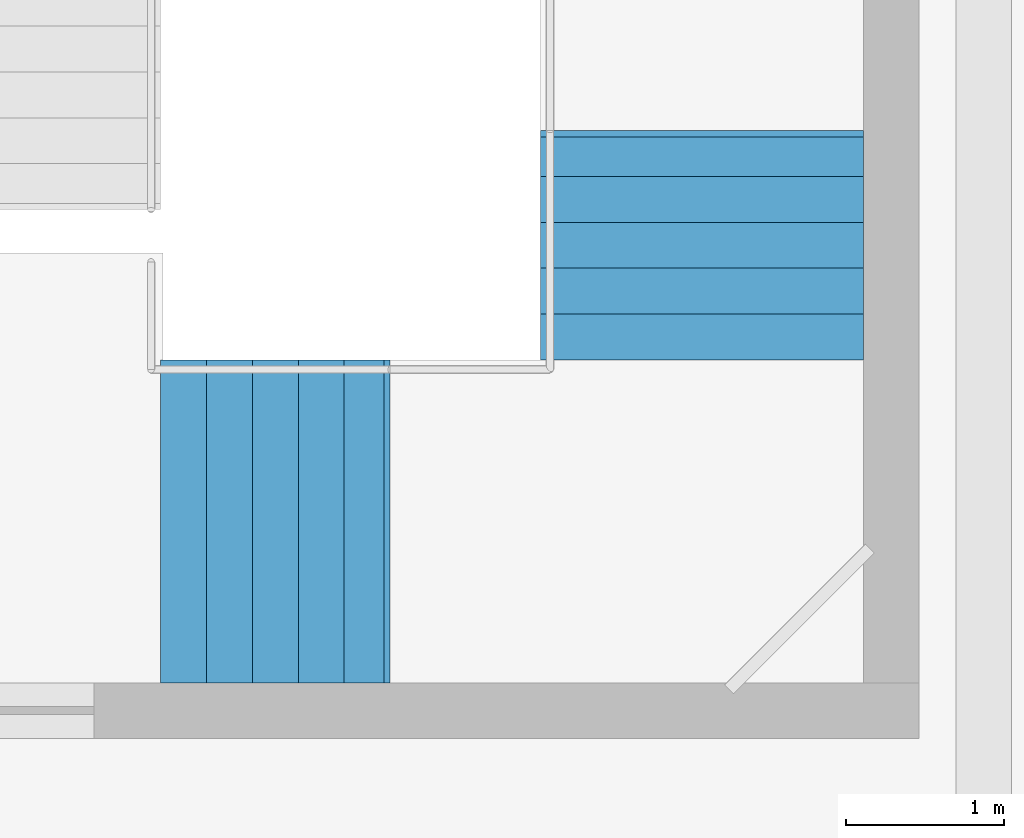
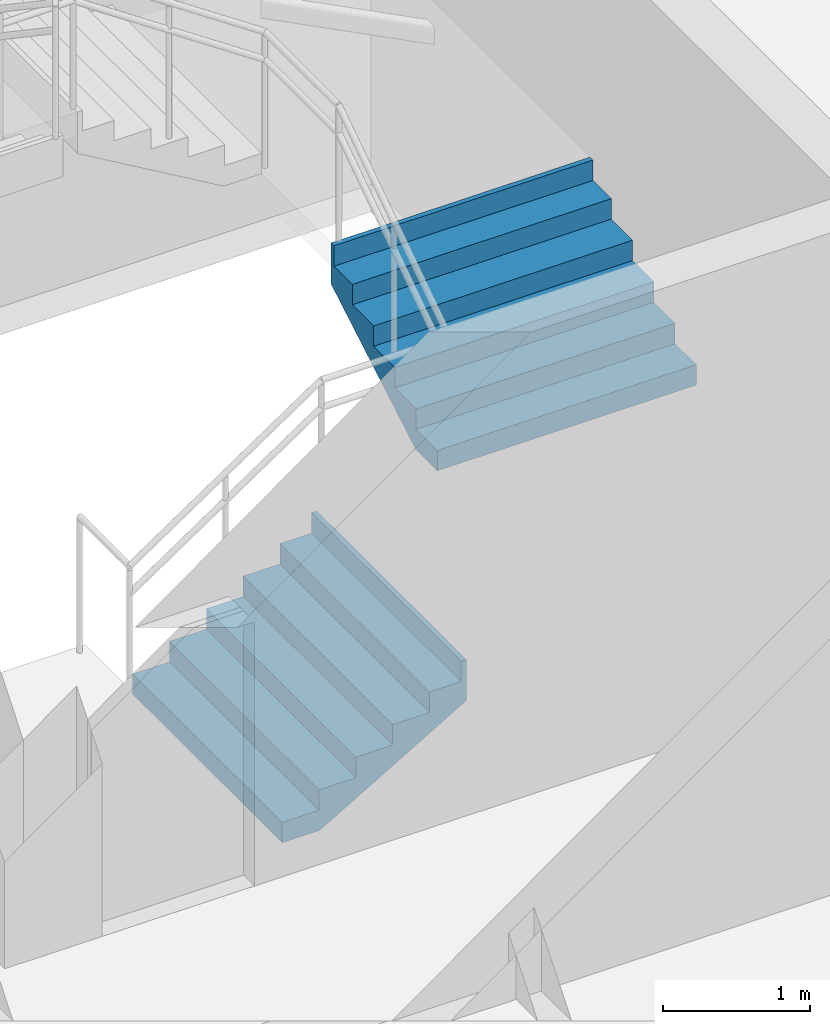
# One storey, part 61 of 66: 2 stair flights, 1 element without a shape of its own.
"""IFC4 building model written with IfcOpenShell, lengths in metres."""

from ifc_helpers import new_model, si_unit, direction, frame, origin, place, context, subcontext, project, spatial, triangles, material, type_object, element, aggregate, save


model = new_model("IFC4")

# Units and contexts
model_context = context("Model", 3, precision=1e-05, world=origin(), true_north=direction((0.0, 1.0)))
body_context = subcontext(model_context, "Body", "Model", "MODEL_VIEW")
ifc_project = project(units=[si_unit("LENGTHUNIT", "METRE"), si_unit("AREAUNIT", "SQUARE_METRE"), si_unit("VOLUMEUNIT", "CUBIC_METRE"), si_unit("PLANEANGLEUNIT", "RADIAN"), si_unit("MASSUNIT", "GRAM", prefix="KILO")], contexts=[model_context])

# Site, building, storey
site_placement = place(None, origin())
site = spatial("IfcSite", under=ifc_project, at=site_placement, CompositionType="ELEMENT")
building_placement = place(site_placement, origin())
building = spatial("IfcBuilding", under=site, at=building_placement, Name="Sillaruma Civic Art Gallery", CompositionType="ELEMENT")
storey_placement = place(building_placement, frame((0.0, 0.0, 62.219970703125)))
storey = spatial("IfcBuildingStorey", under=building, at=storey_placement, Name="L12", CompositionType="ELEMENT", Elevation=62.219970703125)

# Stair, stair flights
ifc_material = material(Name="Concrete H35 (35 MPa)", Category="concrete")
stair_type = type_object("IfcStairType", Name="STR-4F-24", PredefinedType="USERDEFINED", material=ifc_material)
stair_placement = place(storey_placement, origin())
stair = element("IfcStair", 1, at=stair_placement, inside=storey, type_object=stair_type, Name="Protected Exit Stair ST-02 (West Bar North) (L12)", ObjectType="THREE_RETURN_STAIR", PredefinedType="USERDEFINED")
stair_flight_type = type_object("IfcStairFlightType", Name="SFL-STR-6", PredefinedType="STRAIGHT", material=ifc_material)
stair_flight_1_placement = place(storey_placement, frame((64.800048828125, 81.929931640625, 0.0), z_axis=(0.0, 0.0, 1.0), x_axis=(1.0, 0.0, 0.0)))
stair_flight_1 = element("IfcStairFlight", 2, at=stair_flight_1_placement, type_object=stair_flight_type, Name="ST-02 flight 1", NumberOfRisers=6, NumberOfTreads=5, PredefinedType="STRAIGHT", RiserHeight=0.17, TreadLength=0.29, context=body_context, shape_type="Tessellation", body=[
    triangles([(0.0, -1.02001953125, 0.0), (0.29, -1.02001953125, 0.0), (0.296365, -1.02001953125, 0.0), (0.58, -1.02001953125, 0.166269), (0.87, -1.02001953125, 0.336269), (1.16, -1.02001953125, 0.506269), (1.409951, -1.02001953125, 0.652792), (1.449951, -1.02001953125, 0.67624), (1.449951, -1.02001953125, 1.02), (1.409951, -1.02001953125, 1.02), (1.409951, -1.02001953125, 0.85), (1.16, -1.02001953125, 0.85), (1.16, -1.02001953125, 0.68), (0.87, -1.02001953125, 0.68), (0.87, -1.02001953125, 0.51), (0.58, -1.02001953125, 0.51), (0.58, -1.02001953125, 0.34), (0.296365, -1.02001953125, 0.34), (0.29, -1.02001953125, 0.34), (0.29, -1.02001953125, 0.17), (0.0, -1.02001953125, 0.17), (0.0, -0.05, 0.0), (0.29, -0.05, 0.0), (0.296365, -0.05, 0.0), (0.58, -0.05, 0.166269), (0.87, -0.05, 0.336269), (1.16, -0.05, 0.506269), (1.409951, -0.05, 0.652792), (1.449951, -0.05, 0.67624), (1.449951, -0.05, 1.02), (1.409951, -0.05, 1.02), (1.409951, -0.05, 0.85), (1.16, -0.05, 0.85), (1.16, -0.05, 0.68), (0.87, -0.05, 0.68), (0.87, -0.05, 0.51), (0.58, -0.05, 0.51), (0.58, -0.05, 0.34), (0.296365, -0.05, 0.34), (0.29, -0.05, 0.34), (0.29, -0.05, 0.17), (0.0, -0.05, 0.17), (0.0, -0.0375, 0.0), (0.29, -0.0375, 0.0), (0.296365, -0.0375, 0.0), (0.58, -0.0375, 0.166269), (0.87, -0.0375, 0.336269), (1.16, -0.0375, 0.506269), (1.409951, -0.0375, 0.652792), (1.449951, -0.0375, 0.67624), (1.449951, -0.0375, 1.02), (1.409951, -0.0375, 1.02), (1.409951, -0.0375, 0.85), (1.16, -0.0375, 0.85), (1.16, -0.0375, 0.68), (0.87, -0.0375, 0.68), (0.87, -0.0375, 0.51), (0.58, -0.0375, 0.51), (0.58, -0.0375, 0.34), (0.296365, -0.0375, 0.34), (0.29, -0.0375, 0.34), (0.29, -0.0375, 0.17), (0.0, -0.0375, 0.17), (0.0, -0.025, 0.0), (0.29, -0.025, 0.0), (0.296365, -0.025, 0.0), (0.58, -0.025, 0.166269), (0.87, -0.025, 0.336269), (1.16, -0.025, 0.506269), (1.409951, -0.025, 0.652792), (1.449951, -0.025, 0.67624), (1.449951, -0.025, 1.02), (1.409951, -0.025, 1.02), (1.409951, -0.025, 0.85), (1.16, -0.025, 0.85), (1.16, -0.025, 0.68), (0.87, -0.025, 0.68), (0.87, -0.025, 0.51), (0.58, -0.025, 0.51), (0.58, -0.025, 0.34), (0.296365, -0.025, 0.34), (0.29, -0.025, 0.34), (0.29, -0.025, 0.17), (0.0, -0.025, 0.17), (0.0, -0.0125, 0.0), (0.29, -0.0125, 0.0), (0.296365, -0.0125, 0.0), (0.58, -0.0125, 0.166269), (0.87, -0.0125, 0.336269), (1.16, -0.0125, 0.506269), (1.409951, -0.0125, 0.652792), (1.449951, -0.0125, 0.67624), (1.449951, -0.0125, 1.02), (1.409951, -0.0125, 1.02), (1.409951, -0.0125, 0.85), (1.16, -0.0125, 0.85), (1.16, -0.0125, 0.68), (0.87, -0.0125, 0.68), (0.87, -0.0125, 0.51), (0.58, -0.0125, 0.51), (0.58, -0.0125, 0.34), (0.296365, -0.0125, 0.34), (0.29, -0.0125, 0.34), (0.29, -0.0125, 0.17), (0.0, -0.0125, 0.17), (0.0, 0.0, 0.0), (0.29, 0.0, 0.0), (0.296365, 0.0, 0.0), (0.58, 0.0, 0.166269), (0.87, 0.0, 0.336269), (1.16, 0.0, 0.506269), (1.409951, 0.0, 0.652792), (1.449951, 0.0, 0.67624), (1.449951, 0.0, 1.02), (1.409951, 0.0, 1.02), (1.409951, 0.0, 0.85), (1.16, 0.0, 0.85), (1.16, 0.0, 0.68), (0.87, 0.0, 0.68), (0.87, 0.0, 0.51), (0.58, 0.0, 0.51), (0.58, 0.0, 0.34), (0.296365, 0.0, 0.34), (0.29, 0.0, 0.34), (0.29, 0.0, 0.17), (0.0, 0.0, 0.17), (0.0, 0.0125, 0.0), (0.29, 0.0125, 0.0), (0.296365, 0.0125, 0.0), (0.58, 0.0125, 0.166269), (0.87, 0.0125, 0.336269), (1.16, 0.0125, 0.506269), (1.409951, 0.0125, 0.652792), (1.449951, 0.0125, 0.67624), (1.449951, 0.0125, 1.02), (1.409951, 0.0125, 1.02), (1.409951, 0.0125, 0.85), (1.16, 0.0125, 0.85), (1.16, 0.0125, 0.68), (0.87, 0.0125, 0.68), (0.87, 0.0125, 0.51), (0.58, 0.0125, 0.51), (0.58, 0.0125, 0.34), (0.296365, 0.0125, 0.34), (0.29, 0.0125, 0.34), (0.29, 0.0125, 0.17), (0.0, 0.0125, 0.17), (0.0, 0.025, 0.0), (0.29, 0.025, 0.0), (0.296365, 0.025, 0.0), (0.58, 0.025, 0.166269), (0.87, 0.025, 0.336269), (1.16, 0.025, 0.506269), (1.409951, 0.025, 0.652792), (1.449951, 0.025, 0.67624), (1.449951, 0.025, 1.02), (1.409951, 0.025, 1.02), (1.409951, 0.025, 0.85), (1.16, 0.025, 0.85), (1.16, 0.025, 0.68), (0.87, 0.025, 0.68), (0.87, 0.025, 0.51), (0.58, 0.025, 0.51), (0.58, 0.025, 0.34), (0.296365, 0.025, 0.34), (0.29, 0.025, 0.34), (0.29, 0.025, 0.17), (0.0, 0.025, 0.17), (0.0, 0.0375, 0.0), (0.29, 0.0375, 0.0), (0.296365, 0.0375, 0.0), (0.58, 0.0375, 0.166269), (0.87, 0.0375, 0.336269), (1.16, 0.0375, 0.506269), (1.409951, 0.0375, 0.652792), (1.449951, 0.0375, 0.67624), (1.449951, 0.0375, 1.02), (1.409951, 0.0375, 1.02), (1.409951, 0.0375, 0.85), (1.16, 0.0375, 0.85), (1.16, 0.0375, 0.68), (0.87, 0.0375, 0.68), (0.87, 0.0375, 0.51), (0.58, 0.0375, 0.51), (0.58, 0.0375, 0.34), (0.296365, 0.0375, 0.34), (0.29, 0.0375, 0.34), (0.29, 0.0375, 0.17), (0.0, 0.0375, 0.17), (0.0, 0.05, 0.0), (0.29, 0.05, 0.0), (0.296365, 0.05, 0.0), (0.58, 0.05, 0.166269), (0.87, 0.05, 0.336269), (1.16, 0.05, 0.506269), (1.409951, 0.05, 0.652792), (1.449951, 0.05, 0.67624), (1.449951, 0.05, 1.02), (1.409951, 0.05, 1.02), (1.409951, 0.05, 0.85), (1.16, 0.05, 0.85), (1.16, 0.05, 0.68), (0.87, 0.05, 0.68), (0.87, 0.05, 0.51), (0.58, 0.05, 0.51), (0.58, 0.05, 0.34), (0.296365, 0.05, 0.34), (0.29, 0.05, 0.34), (0.29, 0.05, 0.17), (0.0, 0.05, 0.17), (0.0, 1.02001953125, 0.0), (0.29, 1.02001953125, 0.0), (0.296365, 1.02001953125, 0.0), (0.58, 1.02001953125, 0.166269), (0.87, 1.02001953125, 0.336269), (1.16, 1.02001953125, 0.506269), (1.409951, 1.02001953125, 0.652792), (1.449951, 1.02001953125, 0.67624), (1.449951, 1.02001953125, 1.02), (1.409951, 1.02001953125, 1.02), (1.409951, 1.02001953125, 0.85), (1.16, 1.02001953125, 0.85), (1.16, 1.02001953125, 0.68), (0.87, 1.02001953125, 0.68), (0.87, 1.02001953125, 0.51), (0.58, 1.02001953125, 0.51), (0.58, 1.02001953125, 0.34), (0.296365, 1.02001953125, 0.34), (0.29, 1.02001953125, 0.34), (0.29, 1.02001953125, 0.17), (0.0, 1.02001953125, 0.17)], [[1, 2, 20], [1, 20, 21], [2, 3, 18], [2, 18, 20], [20, 18, 19], [3, 4, 17], [3, 17, 18], [4, 5, 15], [4, 15, 17], [17, 15, 16], [5, 6, 13], [5, 13, 15], [15, 13, 14], [6, 7, 11], [6, 11, 13], [13, 11, 12], [7, 8, 9], [7, 9, 11], [11, 9, 10], [230, 212, 211], [231, 230, 211], [228, 213, 212], [230, 228, 212], [229, 228, 230], [227, 214, 213], [228, 227, 213], [225, 215, 214], [227, 225, 214], [226, 225, 227], [223, 216, 215], [225, 223, 215], [224, 223, 225], [221, 217, 216], [223, 221, 216], [222, 221, 223], [219, 218, 217], [221, 219, 217], [220, 219, 221], [2, 1, 22], [2, 22, 23], [3, 2, 23], [3, 23, 24], [4, 3, 24], [4, 24, 25], [5, 4, 25], [5, 25, 26], [6, 5, 26], [6, 26, 27], [7, 6, 27], [7, 27, 28], [8, 7, 28], [8, 28, 29], [9, 8, 29], [9, 29, 30], [10, 9, 30], [10, 30, 31], [11, 10, 31], [11, 31, 32], [12, 11, 32], [12, 32, 33], [13, 12, 33], [13, 33, 34], [14, 13, 34], [14, 34, 35], [15, 14, 35], [15, 35, 36], [16, 15, 36], [16, 36, 37], [17, 16, 37], [17, 37, 38], [18, 17, 38], [18, 38, 39], [19, 18, 39], [19, 39, 40], [20, 19, 40], [20, 40, 41], [21, 20, 41], [21, 41, 42], [1, 21, 42], [1, 42, 22], [23, 22, 43], [23, 43, 44], [24, 23, 44], [24, 44, 45], [25, 24, 45], [25, 45, 46], [26, 25, 46], [26, 46, 47], [27, 26, 47], [27, 47, 48], [28, 27, 48], [28, 48, 49], [29, 28, 49], [29, 49, 50], [30, 29, 50], [30, 50, 51], [31, 30, 51], [31, 51, 52], [32, 31, 52], [32, 52, 53], [33, 32, 53], [33, 53, 54], [34, 33, 54], [34, 54, 55], [35, 34, 55], [35, 55, 56], [36, 35, 56], [36, 56, 57], [37, 36, 57], [37, 57, 58], [38, 37, 58], [38, 58, 59], [39, 38, 59], [39, 59, 60], [40, 39, 60], [40, 60, 61], [41, 40, 61], [41, 61, 62], [42, 41, 62], [42, 62, 63], [22, 42, 63], [22, 63, 43], [44, 43, 64], [44, 64, 65], [45, 44, 65], [45, 65, 66], [46, 45, 66], [46, 66, 67], [47, 46, 67], [47, 67, 68], [48, 47, 68], [48, 68, 69], [49, 48, 69], [49, 69, 70], [50, 49, 70], [50, 70, 71], [51, 50, 71], [51, 71, 72], [52, 51, 72], [52, 72, 73], [53, 52, 73], [53, 73, 74], [54, 53, 74], [54, 74, 75], [55, 54, 75], [55, 75, 76], [56, 55, 76], [56, 76, 77], [57, 56, 77], [57, 77, 78], [58, 57, 78], [58, 78, 79], [59, 58, 79], [59, 79, 80], [60, 59, 80], [60, 80, 81], [61, 60, 81], [61, 81, 82], [62, 61, 82], [62, 82, 83], [63, 62, 83], [63, 83, 84], [43, 63, 84], [43, 84, 64], [65, 64, 85], [65, 85, 86], [66, 65, 86], [66, 86, 87], [67, 66, 87], [67, 87, 88], [68, 67, 88], [68, 88, 89], [69, 68, 89], [69, 89, 90], [70, 69, 90], [70, 90, 91], [71, 70, 91], [71, 91, 92], [72, 71, 92], [72, 92, 93], [73, 72, 93], [73, 93, 94], [74, 73, 94], [74, 94, 95], [75, 74, 95], [75, 95, 96], [76, 75, 96], [76, 96, 97], [77, 76, 97], [77, 97, 98], [78, 77, 98], [78, 98, 99], [79, 78, 99], [79, 99, 100], [80, 79, 100], [80, 100, 101], [81, 80, 101], [81, 101, 102], [82, 81, 102], [82, 102, 103], [83, 82, 103], [83, 103, 104], [84, 83, 104], [84, 104, 105], [64, 84, 105], [64, 105, 85], [86, 85, 106], [86, 106, 107], [87, 86, 107], [87, 107, 108], [88, 87, 108], [88, 108, 109], [89, 88, 109], [89, 109, 110], [90, 89, 110], [90, 110, 111], [91, 90, 111], [91, 111, 112], [92, 91, 112], [92, 112, 113], [93, 92, 113], [93, 113, 114], [94, 93, 114], [94, 114, 115], [95, 94, 115], [95, 115, 116], [96, 95, 116], [96, 116, 117], [97, 96, 117], [97, 117, 118], [98, 97, 118], [98, 118, 119], [99, 98, 119], [99, 119, 120], [100, 99, 120], [100, 120, 121], [101, 100, 121], [101, 121, 122], [102, 101, 122], [102, 122, 123], [103, 102, 123], [103, 123, 124], [104, 103, 124], [104, 124, 125], [105, 104, 125], [105, 125, 126], [85, 105, 126], [85, 126, 106], [107, 106, 127], [107, 127, 128], [108, 107, 128], [108, 128, 129], [109, 108, 129], [109, 129, 130], [110, 109, 130], [110, 130, 131], [111, 110, 131], [111, 131, 132], [112, 111, 132], [112, 132, 133], [113, 112, 133], [113, 133, 134], [114, 113, 134], [114, 134, 135], [115, 114, 135], [115, 135, 136], [116, 115, 136], [116, 136, 137], [117, 116, 137], [117, 137, 138], [118, 117, 138], [118, 138, 139], [119, 118, 139], [119, 139, 140], [120, 119, 140], [120, 140, 141], [121, 120, 141], [121, 141, 142], [122, 121, 142], [122, 142, 143], [123, 122, 143], [123, 143, 144], [124, 123, 144], [124, 144, 145], [125, 124, 145], [125, 145, 146], [126, 125, 146], [126, 146, 147], [106, 126, 147], [106, 147, 127], [128, 127, 148], [128, 148, 149], [129, 128, 149], [129, 149, 150], [130, 129, 150], [130, 150, 151], [131, 130, 151], [131, 151, 152], [132, 131, 152], [132, 152, 153], [133, 132, 153], [133, 153, 154], [134, 133, 154], [134, 154, 155], [135, 134, 155], [135, 155, 156], [136, 135, 156], [136, 156, 157], [137, 136, 157], [137, 157, 158], [138, 137, 158], [138, 158, 159], [139, 138, 159], [139, 159, 160], [140, 139, 160], [140, 160, 161], [141, 140, 161], [141, 161, 162], [142, 141, 162], [142, 162, 163], [143, 142, 163], [143, 163, 164], [144, 143, 164], [144, 164, 165], [145, 144, 165], [145, 165, 166], [146, 145, 166], [146, 166, 167], [147, 146, 167], [147, 167, 168], [127, 147, 168], [127, 168, 148], [149, 148, 169], [149, 169, 170], [150, 149, 170], [150, 170, 171], [151, 150, 171], [151, 171, 172], [152, 151, 172], [152, 172, 173], [153, 152, 173], [153, 173, 174], [154, 153, 174], [154, 174, 175], [155, 154, 175], [155, 175, 176], [156, 155, 176], [156, 176, 177], [157, 156, 177], [157, 177, 178], [158, 157, 178], [158, 178, 179], [159, 158, 179], [159, 179, 180], [160, 159, 180], [160, 180, 181], [161, 160, 181], [161, 181, 182], [162, 161, 182], [162, 182, 183], [163, 162, 183], [163, 183, 184], [164, 163, 184], [164, 184, 185], [165, 164, 185], [165, 185, 186], [166, 165, 186], [166, 186, 187], [167, 166, 187], [167, 187, 188], [168, 167, 188], [168, 188, 189], [148, 168, 189], [148, 189, 169], [170, 169, 190], [170, 190, 191], [171, 170, 191], [171, 191, 192], [172, 171, 192], [172, 192, 193], [173, 172, 193], [173, 193, 194], [174, 173, 194], [174, 194, 195], [175, 174, 195], [175, 195, 196], [176, 175, 196], [176, 196, 197], [177, 176, 197], [177, 197, 198], [178, 177, 198], [178, 198, 199], [179, 178, 199], [179, 199, 200], [180, 179, 200], [180, 200, 201], [181, 180, 201], [181, 201, 202], [182, 181, 202], [182, 202, 203], [183, 182, 203], [183, 203, 204], [184, 183, 204], [184, 204, 205], [185, 184, 205], [185, 205, 206], [186, 185, 206], [186, 206, 207], [187, 186, 207], [187, 207, 208], [188, 187, 208], [188, 208, 209], [189, 188, 209], [189, 209, 210], [169, 189, 210], [169, 210, 190], [191, 190, 211], [191, 211, 212], [192, 191, 212], [192, 212, 213], [193, 192, 213], [193, 213, 214], [194, 193, 214], [194, 214, 215], [195, 194, 215], [195, 215, 216], [196, 195, 216], [196, 216, 217], [197, 196, 217], [197, 217, 218], [198, 197, 218], [198, 218, 219], [199, 198, 219], [199, 219, 220], [200, 199, 220], [200, 220, 221], [201, 200, 221], [201, 221, 222], [202, 201, 222], [202, 222, 223], [203, 202, 223], [203, 223, 224], [204, 203, 224], [204, 224, 225], [205, 204, 225], [205, 225, 226], [206, 205, 226], [206, 226, 227], [207, 206, 227], [207, 227, 228], [208, 207, 228], [208, 228, 229], [209, 208, 229], [209, 229, 230], [210, 209, 230], [210, 230, 231], [190, 210, 231], [190, 231, 211]], closed=True),
])
stair_flight_2_placement = place(storey_placement, frame((68.219970703125, 82.949951171875, 1.02001953125), z_axis=(0.0, 0.0, 1.0), x_axis=(0.0, 1.0, 0.0)))
stair_flight_2 = element("IfcStairFlight", 3, at=stair_flight_2_placement, type_object=stair_flight_type, Name="ST-02 flight 2", NumberOfRisers=6, NumberOfTreads=5, PredefinedType="STRAIGHT", RiserHeight=0.17, TreadLength=0.29, context=body_context, shape_type="Tessellation", body=[
    triangles([(0.0, -1.02001953125, 0.0), (0.29, -1.02001953125, 0.0), (0.296365, -1.02001953125, 0.0), (0.58, -1.02001953125, 0.166269), (0.87, -1.02001953125, 0.336269), (1.16, -1.02001953125, 0.506269), (1.409951, -1.02001953125, 0.652792), (1.449951, -1.02001953125, 0.67624), (1.449951, -1.02001953125, 1.02), (1.409951, -1.02001953125, 1.02), (1.409951, -1.02001953125, 0.85), (1.16, -1.02001953125, 0.85), (1.16, -1.02001953125, 0.68), (0.87, -1.02001953125, 0.68), (0.87, -1.02001953125, 0.51), (0.58, -1.02001953125, 0.51), (0.58, -1.02001953125, 0.34), (0.296365, -1.02001953125, 0.34), (0.29, -1.02001953125, 0.34), (0.29, -1.02001953125, 0.17), (0.0, -1.02001953125, 0.17), (0.0, -0.05, 0.0), (0.29, -0.05, 0.0), (0.296365, -0.05, 0.0), (0.58, -0.05, 0.166269), (0.87, -0.05, 0.336269), (1.16, -0.05, 0.506269), (1.409951, -0.05, 0.652792), (1.449951, -0.05, 0.67624), (1.449951, -0.05, 1.02), (1.409951, -0.05, 1.02), (1.409951, -0.05, 0.85), (1.16, -0.05, 0.85), (1.16, -0.05, 0.68), (0.87, -0.05, 0.68), (0.87, -0.05, 0.51), (0.58, -0.05, 0.51), (0.58, -0.05, 0.34), (0.296365, -0.05, 0.34), (0.29, -0.05, 0.34), (0.29, -0.05, 0.17), (0.0, -0.05, 0.17), (0.0, -0.0375, 0.0), (0.29, -0.0375, 0.0), (0.296365, -0.0375, 0.0), (0.58, -0.0375, 0.166269), (0.87, -0.0375, 0.336269), (1.16, -0.0375, 0.506269), (1.409951, -0.0375, 0.652792), (1.449951, -0.0375, 0.67624), (1.449951, -0.0375, 1.02), (1.409951, -0.0375, 1.02), (1.409951, -0.0375, 0.85), (1.16, -0.0375, 0.85), (1.16, -0.0375, 0.68), (0.87, -0.0375, 0.68), (0.87, -0.0375, 0.51), (0.58, -0.0375, 0.51), (0.58, -0.0375, 0.34), (0.296365, -0.0375, 0.34), (0.29, -0.0375, 0.34), (0.29, -0.0375, 0.17), (0.0, -0.0375, 0.17), (0.0, -0.025, 0.0), (0.29, -0.025, 0.0), (0.296365, -0.025, 0.0), (0.58, -0.025, 0.166269), (0.87, -0.025, 0.336269), (1.16, -0.025, 0.506269), (1.409951, -0.025, 0.652792), (1.449951, -0.025, 0.67624), (1.449951, -0.025, 1.02), (1.409951, -0.025, 1.02), (1.409951, -0.025, 0.85), (1.16, -0.025, 0.85), (1.16, -0.025, 0.68), (0.87, -0.025, 0.68), (0.87, -0.025, 0.51), (0.58, -0.025, 0.51), (0.58, -0.025, 0.34), (0.296365, -0.025, 0.34), (0.29, -0.025, 0.34), (0.29, -0.025, 0.17), (0.0, -0.025, 0.17), (0.0, -0.0125, 0.0), (0.29, -0.0125, 0.0), (0.296365, -0.0125, 0.0), (0.58, -0.0125, 0.166269), (0.87, -0.0125, 0.336269), (1.16, -0.0125, 0.506269), (1.409951, -0.0125, 0.652792), (1.449951, -0.0125, 0.67624), (1.449951, -0.0125, 1.02), (1.409951, -0.0125, 1.02), (1.409951, -0.0125, 0.85), (1.16, -0.0125, 0.85), (1.16, -0.0125, 0.68), (0.87, -0.0125, 0.68), (0.87, -0.0125, 0.51), (0.58, -0.0125, 0.51), (0.58, -0.0125, 0.34), (0.296365, -0.0125, 0.34), (0.29, -0.0125, 0.34), (0.29, -0.0125, 0.17), (0.0, -0.0125, 0.17), (0.0, 0.0, 0.0), (0.29, 0.0, 0.0), (0.296365, 0.0, 0.0), (0.58, 0.0, 0.166269), (0.87, 0.0, 0.336269), (1.16, 0.0, 0.506269), (1.409951, 0.0, 0.652792), (1.449951, 0.0, 0.67624), (1.449951, 0.0, 1.02), (1.409951, 0.0, 1.02), (1.409951, 0.0, 0.85), (1.16, 0.0, 0.85), (1.16, 0.0, 0.68), (0.87, 0.0, 0.68), (0.87, 0.0, 0.51), (0.58, 0.0, 0.51), (0.58, 0.0, 0.34), (0.296365, 0.0, 0.34), (0.29, 0.0, 0.34), (0.29, 0.0, 0.17), (0.0, 0.0, 0.17), (0.0, 0.0125, 0.0), (0.29, 0.0125, 0.0), (0.296365, 0.0125, 0.0), (0.58, 0.0125, 0.166269), (0.87, 0.0125, 0.336269), (1.16, 0.0125, 0.506269), (1.409951, 0.0125, 0.652792), (1.449951, 0.0125, 0.67624), (1.449951, 0.0125, 1.02), (1.409951, 0.0125, 1.02), (1.409951, 0.0125, 0.85), (1.16, 0.0125, 0.85), (1.16, 0.0125, 0.68), (0.87, 0.0125, 0.68), (0.87, 0.0125, 0.51), (0.58, 0.0125, 0.51), (0.58, 0.0125, 0.34), (0.296365, 0.0125, 0.34), (0.29, 0.0125, 0.34), (0.29, 0.0125, 0.17), (0.0, 0.0125, 0.17), (0.0, 0.025, 0.0), (0.29, 0.025, 0.0), (0.296365, 0.025, 0.0), (0.58, 0.025, 0.166269), (0.87, 0.025, 0.336269), (1.16, 0.025, 0.506269), (1.409951, 0.025, 0.652792), (1.449951, 0.025, 0.67624), (1.449951, 0.025, 1.02), (1.409951, 0.025, 1.02), (1.409951, 0.025, 0.85), (1.16, 0.025, 0.85), (1.16, 0.025, 0.68), (0.87, 0.025, 0.68), (0.87, 0.025, 0.51), (0.58, 0.025, 0.51), (0.58, 0.025, 0.34), (0.296365, 0.025, 0.34), (0.29, 0.025, 0.34), (0.29, 0.025, 0.17), (0.0, 0.025, 0.17), (0.0, 0.0375, 0.0), (0.29, 0.0375, 0.0), (0.296365, 0.0375, 0.0), (0.58, 0.0375, 0.166269), (0.87, 0.0375, 0.336269), (1.16, 0.0375, 0.506269), (1.409951, 0.0375, 0.652792), (1.449951, 0.0375, 0.67624), (1.449951, 0.0375, 1.02), (1.409951, 0.0375, 1.02), (1.409951, 0.0375, 0.85), (1.16, 0.0375, 0.85), (1.16, 0.0375, 0.68), (0.87, 0.0375, 0.68), (0.87, 0.0375, 0.51), (0.58, 0.0375, 0.51), (0.58, 0.0375, 0.34), (0.296365, 0.0375, 0.34), (0.29, 0.0375, 0.34), (0.29, 0.0375, 0.17), (0.0, 0.0375, 0.17), (0.0, 0.05, 0.0), (0.29, 0.05, 0.0), (0.296365, 0.05, 0.0), (0.58, 0.05, 0.166269), (0.87, 0.05, 0.336269), (1.16, 0.05, 0.506269), (1.409951, 0.05, 0.652792), (1.449951, 0.05, 0.67624), (1.449951, 0.05, 1.02), (1.409951, 0.05, 1.02), (1.409951, 0.05, 0.85), (1.16, 0.05, 0.85), (1.16, 0.05, 0.68), (0.87, 0.05, 0.68), (0.87, 0.05, 0.51), (0.58, 0.05, 0.51), (0.58, 0.05, 0.34), (0.296365, 0.05, 0.34), (0.29, 0.05, 0.34), (0.29, 0.05, 0.17), (0.0, 0.05, 0.17), (0.0, 1.02001953125, 0.0), (0.29, 1.02001953125, 0.0), (0.296365, 1.02001953125, 0.0), (0.58, 1.02001953125, 0.166269), (0.87, 1.02001953125, 0.336269), (1.16, 1.02001953125, 0.506269), (1.409951, 1.02001953125, 0.652792), (1.449951, 1.02001953125, 0.67624), (1.449951, 1.02001953125, 1.02), (1.409951, 1.02001953125, 1.02), (1.409951, 1.02001953125, 0.85), (1.16, 1.02001953125, 0.85), (1.16, 1.02001953125, 0.68), (0.87, 1.02001953125, 0.68), (0.87, 1.02001953125, 0.51), (0.58, 1.02001953125, 0.51), (0.58, 1.02001953125, 0.34), (0.296365, 1.02001953125, 0.34), (0.29, 1.02001953125, 0.34), (0.29, 1.02001953125, 0.17), (0.0, 1.02001953125, 0.17)], [[1, 2, 20], [1, 20, 21], [2, 3, 18], [2, 18, 20], [20, 18, 19], [3, 4, 17], [3, 17, 18], [4, 5, 15], [4, 15, 17], [17, 15, 16], [5, 6, 13], [5, 13, 15], [15, 13, 14], [6, 7, 11], [6, 11, 13], [13, 11, 12], [7, 8, 9], [7, 9, 11], [11, 9, 10], [230, 212, 211], [231, 230, 211], [228, 213, 212], [230, 228, 212], [229, 228, 230], [227, 214, 213], [228, 227, 213], [225, 215, 214], [227, 225, 214], [226, 225, 227], [223, 216, 215], [225, 223, 215], [224, 223, 225], [221, 217, 216], [223, 221, 216], [222, 221, 223], [219, 218, 217], [221, 219, 217], [220, 219, 221], [2, 1, 22], [2, 22, 23], [3, 2, 23], [3, 23, 24], [4, 3, 24], [4, 24, 25], [5, 4, 25], [5, 25, 26], [6, 5, 26], [6, 26, 27], [7, 6, 27], [7, 27, 28], [8, 7, 28], [8, 28, 29], [9, 8, 29], [9, 29, 30], [10, 9, 30], [10, 30, 31], [11, 10, 31], [11, 31, 32], [12, 11, 32], [12, 32, 33], [13, 12, 33], [13, 33, 34], [14, 13, 34], [14, 34, 35], [15, 14, 35], [15, 35, 36], [16, 15, 36], [16, 36, 37], [17, 16, 37], [17, 37, 38], [18, 17, 38], [18, 38, 39], [19, 18, 39], [19, 39, 40], [20, 19, 40], [20, 40, 41], [21, 20, 41], [21, 41, 42], [1, 21, 42], [1, 42, 22], [23, 22, 43], [23, 43, 44], [24, 23, 44], [24, 44, 45], [25, 24, 45], [25, 45, 46], [26, 25, 46], [26, 46, 47], [27, 26, 47], [27, 47, 48], [28, 27, 48], [28, 48, 49], [29, 28, 49], [29, 49, 50], [30, 29, 50], [30, 50, 51], [31, 30, 51], [31, 51, 52], [32, 31, 52], [32, 52, 53], [33, 32, 53], [33, 53, 54], [34, 33, 54], [34, 54, 55], [35, 34, 55], [35, 55, 56], [36, 35, 56], [36, 56, 57], [37, 36, 57], [37, 57, 58], [38, 37, 58], [38, 58, 59], [39, 38, 59], [39, 59, 60], [40, 39, 60], [40, 60, 61], [41, 40, 61], [41, 61, 62], [42, 41, 62], [42, 62, 63], [22, 42, 63], [22, 63, 43], [44, 43, 64], [44, 64, 65], [45, 44, 65], [45, 65, 66], [46, 45, 66], [46, 66, 67], [47, 46, 67], [47, 67, 68], [48, 47, 68], [48, 68, 69], [49, 48, 69], [49, 69, 70], [50, 49, 70], [50, 70, 71], [51, 50, 71], [51, 71, 72], [52, 51, 72], [52, 72, 73], [53, 52, 73], [53, 73, 74], [54, 53, 74], [54, 74, 75], [55, 54, 75], [55, 75, 76], [56, 55, 76], [56, 76, 77], [57, 56, 77], [57, 77, 78], [58, 57, 78], [58, 78, 79], [59, 58, 79], [59, 79, 80], [60, 59, 80], [60, 80, 81], [61, 60, 81], [61, 81, 82], [62, 61, 82], [62, 82, 83], [63, 62, 83], [63, 83, 84], [43, 63, 84], [43, 84, 64], [65, 64, 85], [65, 85, 86], [66, 65, 86], [66, 86, 87], [67, 66, 87], [67, 87, 88], [68, 67, 88], [68, 88, 89], [69, 68, 89], [69, 89, 90], [70, 69, 90], [70, 90, 91], [71, 70, 91], [71, 91, 92], [72, 71, 92], [72, 92, 93], [73, 72, 93], [73, 93, 94], [74, 73, 94], [74, 94, 95], [75, 74, 95], [75, 95, 96], [76, 75, 96], [76, 96, 97], [77, 76, 97], [77, 97, 98], [78, 77, 98], [78, 98, 99], [79, 78, 99], [79, 99, 100], [80, 79, 100], [80, 100, 101], [81, 80, 101], [81, 101, 102], [82, 81, 102], [82, 102, 103], [83, 82, 103], [83, 103, 104], [84, 83, 104], [84, 104, 105], [64, 84, 105], [64, 105, 85], [86, 85, 106], [86, 106, 107], [87, 86, 107], [87, 107, 108], [88, 87, 108], [88, 108, 109], [89, 88, 109], [89, 109, 110], [90, 89, 110], [90, 110, 111], [91, 90, 111], [91, 111, 112], [92, 91, 112], [92, 112, 113], [93, 92, 113], [93, 113, 114], [94, 93, 114], [94, 114, 115], [95, 94, 115], [95, 115, 116], [96, 95, 116], [96, 116, 117], [97, 96, 117], [97, 117, 118], [98, 97, 118], [98, 118, 119], [99, 98, 119], [99, 119, 120], [100, 99, 120], [100, 120, 121], [101, 100, 121], [101, 121, 122], [102, 101, 122], [102, 122, 123], [103, 102, 123], [103, 123, 124], [104, 103, 124], [104, 124, 125], [105, 104, 125], [105, 125, 126], [85, 105, 126], [85, 126, 106], [107, 106, 127], [107, 127, 128], [108, 107, 128], [108, 128, 129], [109, 108, 129], [109, 129, 130], [110, 109, 130], [110, 130, 131], [111, 110, 131], [111, 131, 132], [112, 111, 132], [112, 132, 133], [113, 112, 133], [113, 133, 134], [114, 113, 134], [114, 134, 135], [115, 114, 135], [115, 135, 136], [116, 115, 136], [116, 136, 137], [117, 116, 137], [117, 137, 138], [118, 117, 138], [118, 138, 139], [119, 118, 139], [119, 139, 140], [120, 119, 140], [120, 140, 141], [121, 120, 141], [121, 141, 142], [122, 121, 142], [122, 142, 143], [123, 122, 143], [123, 143, 144], [124, 123, 144], [124, 144, 145], [125, 124, 145], [125, 145, 146], [126, 125, 146], [126, 146, 147], [106, 126, 147], [106, 147, 127], [128, 127, 148], [128, 148, 149], [129, 128, 149], [129, 149, 150], [130, 129, 150], [130, 150, 151], [131, 130, 151], [131, 151, 152], [132, 131, 152], [132, 152, 153], [133, 132, 153], [133, 153, 154], [134, 133, 154], [134, 154, 155], [135, 134, 155], [135, 155, 156], [136, 135, 156], [136, 156, 157], [137, 136, 157], [137, 157, 158], [138, 137, 158], [138, 158, 159], [139, 138, 159], [139, 159, 160], [140, 139, 160], [140, 160, 161], [141, 140, 161], [141, 161, 162], [142, 141, 162], [142, 162, 163], [143, 142, 163], [143, 163, 164], [144, 143, 164], [144, 164, 165], [145, 144, 165], [145, 165, 166], [146, 145, 166], [146, 166, 167], [147, 146, 167], [147, 167, 168], [127, 147, 168], [127, 168, 148], [149, 148, 169], [149, 169, 170], [150, 149, 170], [150, 170, 171], [151, 150, 171], [151, 171, 172], [152, 151, 172], [152, 172, 173], [153, 152, 173], [153, 173, 174], [154, 153, 174], [154, 174, 175], [155, 154, 175], [155, 175, 176], [156, 155, 176], [156, 176, 177], [157, 156, 177], [157, 177, 178], [158, 157, 178], [158, 178, 179], [159, 158, 179], [159, 179, 180], [160, 159, 180], [160, 180, 181], [161, 160, 181], [161, 181, 182], [162, 161, 182], [162, 182, 183], [163, 162, 183], [163, 183, 184], [164, 163, 184], [164, 184, 185], [165, 164, 185], [165, 185, 186], [166, 165, 186], [166, 186, 187], [167, 166, 187], [167, 187, 188], [168, 167, 188], [168, 188, 189], [148, 168, 189], [148, 189, 169], [170, 169, 190], [170, 190, 191], [171, 170, 191], [171, 191, 192], [172, 171, 192], [172, 192, 193], [173, 172, 193], [173, 193, 194], [174, 173, 194], [174, 194, 195], [175, 174, 195], [175, 195, 196], [176, 175, 196], [176, 196, 197], [177, 176, 197], [177, 197, 198], [178, 177, 198], [178, 198, 199], [179, 178, 199], [179, 199, 200], [180, 179, 200], [180, 200, 201], [181, 180, 201], [181, 201, 202], [182, 181, 202], [182, 202, 203], [183, 182, 203], [183, 203, 204], [184, 183, 204], [184, 204, 205], [185, 184, 205], [185, 205, 206], [186, 185, 206], [186, 206, 207], [187, 186, 207], [187, 207, 208], [188, 187, 208], [188, 208, 209], [189, 188, 209], [189, 209, 210], [169, 189, 210], [169, 210, 190], [191, 190, 211], [191, 211, 212], [192, 191, 212], [192, 212, 213], [193, 192, 213], [193, 213, 214], [194, 193, 214], [194, 214, 215], [195, 194, 215], [195, 215, 216], [196, 195, 216], [196, 216, 217], [197, 196, 217], [197, 217, 218], [198, 197, 218], [198, 218, 219], [199, 198, 219], [199, 219, 220], [200, 199, 220], [200, 220, 221], [201, 200, 221], [201, 221, 222], [202, 201, 222], [202, 222, 223], [203, 202, 223], [203, 223, 224], [204, 203, 224], [204, 224, 225], [205, 204, 225], [205, 225, 226], [206, 205, 226], [206, 226, 227], [207, 206, 227], [207, 227, 228], [208, 207, 228], [208, 228, 229], [209, 208, 229], [209, 229, 230], [210, 209, 230], [210, 230, 231], [190, 210, 231], [190, 231, 211]], closed=True),
])
aggregate(stair, [stair_flight_1, stair_flight_2])

save(model, "model.ifc")
